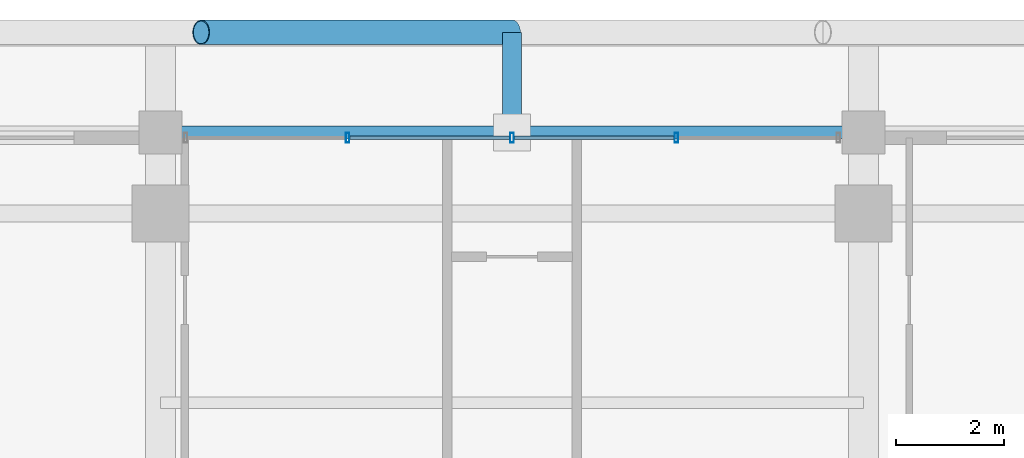
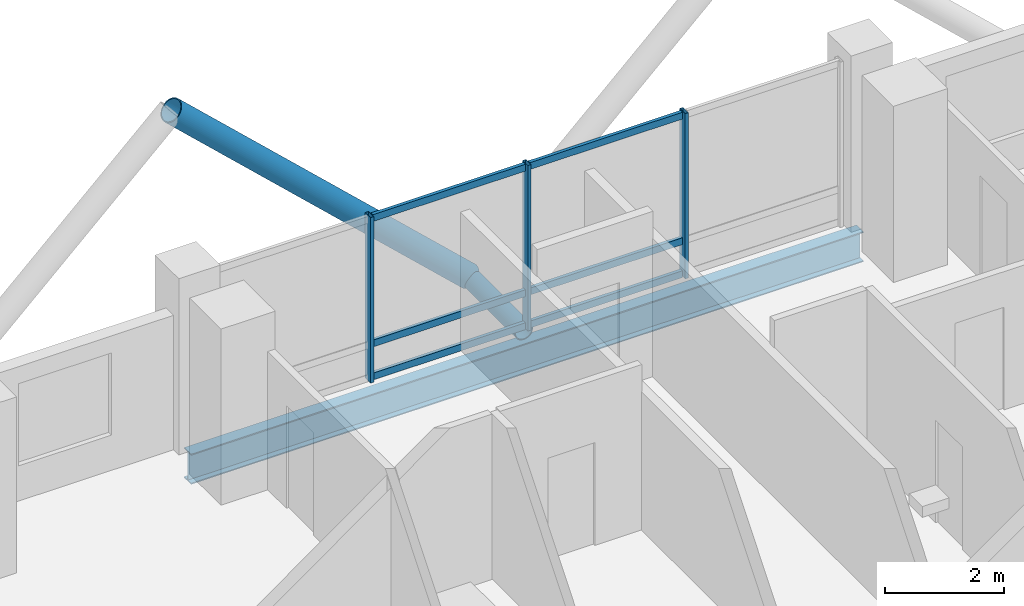
# One storey, part 12 of 23: 11 members, 1 beam, 1 element without a shape of its own.
"""IFC4 building model written with IfcOpenShell, lengths in metres."""

from ifc_helpers import new_model, si_unit, direction, frame, origin, origin_2d, place, context, subcontext, project, spatial, hollow_rectangle, hollow_circle, i_section, extrude, material, layer, layer_set, material_profile, profile_set, type_object, element, aggregate, save


model = new_model("IFC4")

# Units and contexts
model_context = context("Model", 3, precision=1e-05, world=origin(), true_north=direction((0.0, 1.0)))
body_context = subcontext(model_context, "Body", "Model", "MODEL_VIEW")
ifc_project = project(units=[si_unit("LENGTHUNIT", "METRE"), si_unit("AREAUNIT", "SQUARE_METRE"), si_unit("VOLUMEUNIT", "CUBIC_METRE"), si_unit("PLANEANGLEUNIT", "RADIAN"), si_unit("MASSUNIT", "GRAM", prefix="KILO")], contexts=[model_context])

# Site, building, storey
site_placement = place(None, origin())
site = spatial("IfcSite", under=ifc_project, at=site_placement, CompositionType="ELEMENT")
building_placement = place(site_placement, origin())
building = spatial("IfcBuilding", under=site, at=building_placement, Name="Barlavira Tower and Art Museum", CompositionType="ELEMENT")
storey_placement = place(building_placement, frame((0.0, 0.0, 165.60009765625)))
storey = spatial("IfcBuildingStorey", under=building, at=storey_placement, Name="L42", CompositionType="ELEMENT", Elevation=165.60009765625)

# Curtain wall, members
ifc_material_1 = material(Name="Low-iron coastal laminated glass", Category="glass")
ifc_layer = layer(ifc_material_1, 0.199951171875, Name="Low-iron coastal laminated glass")
ifc_layer_set = layer_set([ifc_layer], Name="Low-iron coastal laminated glass")
curtain_wall_type = type_object("IfcCurtainWallType", Name="Pale-Metal Unitised Curtain Wall Zone 3", PredefinedType="NOTDEFINED", material=ifc_layer_set)
curtain_wall_placement = place(storey_placement, origin())
curtain_wall = element("IfcCurtainWall", 1, at=curtain_wall_placement, inside=storey, type_object=curtain_wall_type, Name="L42 Curtain Wall CW3-L42-N-B3", PredefinedType="NOTDEFINED")
ifc_material_2 = material(Name="Pale anodised aluminium", Category="aluminium")
ifc_material_profile_1 = material_profile(ifc_material_2, hollow_rectangle(XDim=0.06494140625, YDim=0.179931640625, WallThickness=0.00390625, at=origin_2d()), Name="ALU-MULL 65x180x4")
ifc_profile_set_1 = profile_set([ifc_material_profile_1], Name="Pale anodised aluminium")
member_type_1 = type_object("IfcMemberType", Name="Curtain Wall Pale-Metal Mullion 65x180", PredefinedType="MULLION", material=ifc_profile_set_1)
member_1_placement = place(storey_placement, frame((3.0400390625, 21.39990234375, 0.0), z_axis=(0.0, 0.0, 1.0), x_axis=(-1.0, 0.0, 0.0)))
member_1 = element("IfcMember", 2, at=member_1_placement, type_object=member_type_1, Name="CW3-L42-N-B3 Mullion 1", PredefinedType="MULLION", context=body_context, shape_type="SweptSolid", body=[
    extrude(hollow_rectangle(XDim=0.06494140625, YDim=0.179931640625, WallThickness=0.00390625, at=origin_2d()), origin(), (0.0, 0.0, 1.0), 3.3798828125),
])
member_2_placement = place(storey_placement, frame((0.0, 21.39990234375, 0.0), z_axis=(0.0, 0.0, 1.0), x_axis=(-1.0, 0.0, 0.0)))
member_2 = element("IfcMember", 3, at=member_2_placement, type_object=member_type_1, Name="CW3-L42-N-B3 Mullion 2", PredefinedType="MULLION", context=body_context, shape_type="SweptSolid", body=[
    extrude(hollow_rectangle(XDim=0.06494140625, YDim=0.179931640625, WallThickness=0.00390625, at=origin_2d()), origin(), (0.0, 0.0, 1.0), 3.3798828125),
])
member_3_placement = place(storey_placement, frame((-3.0400390625, 21.39990234375, 0.0), z_axis=(0.0, 0.0, 1.0), x_axis=(-1.0, 0.0, 0.0)))
member_3 = element("IfcMember", 4, at=member_3_placement, type_object=member_type_1, Name="CW3-L42-N-B3 Mullion 3", PredefinedType="MULLION", context=body_context, shape_type="SweptSolid", body=[
    extrude(hollow_rectangle(XDim=0.06494140625, YDim=0.179931640625, WallThickness=0.00390625, at=origin_2d()), origin(), (0.0, 0.0, 1.0), 3.3798828125),
])
ifc_material_profile_2 = material_profile(ifc_material_2, hollow_rectangle(XDim=0.06494140625, YDim=0.139892578125, WallThickness=0.00390625, at=origin_2d()), Name="ALU-TRAN 65x140x4")
ifc_profile_set_2 = profile_set([ifc_material_profile_2], Name="Pale anodised aluminium")
member_type_2 = type_object("IfcMemberType", Name="Curtain Wall Pale-Metal Transom 65x140", PredefinedType="USERDEFINED", material=ifc_profile_set_2)
member_4_placement = place(storey_placement, frame((2.9951171875, 21.39990234375, 0.06982421875), z_axis=(-1.0, 0.0, 0.0), x_axis=(0.0, -1.0, 0.0)))
member_4 = element("IfcMember", 5, at=member_4_placement, type_object=member_type_2, Name="CW3-L42-N-B3 Transom 1.1", ObjectType="TRANSOM", PredefinedType="USERDEFINED", context=body_context, shape_type="SweptSolid", body=[
    extrude(hollow_rectangle(XDim=0.06494140625, YDim=0.139892578125, WallThickness=0.00390625, at=origin_2d()), origin(), (0.0, 0.0, 1.0), 2.9501953125),
])
member_5_placement = place(storey_placement, frame((2.9951171875, 21.39990234375, 0.743896484375), z_axis=(-1.0, 0.0, 0.0), x_axis=(0.0, -1.0, 0.0)))
member_5 = element("IfcMember", 6, at=member_5_placement, type_object=member_type_2, Name="CW3-L42-N-B3 Transom 1.2", ObjectType="TRANSOM", PredefinedType="USERDEFINED", context=body_context, shape_type="SweptSolid", body=[
    extrude(hollow_rectangle(XDim=0.06494140625, YDim=0.139892578125, WallThickness=0.00390625, at=origin_2d()), origin(), (0.0, 0.0, 1.0), 2.9501953125),
])
member_6_placement = place(storey_placement, frame((2.9951171875, 21.39990234375, 3.309814453125), z_axis=(-1.0, 0.0, 0.0), x_axis=(0.0, -1.0, 0.0)))
member_6 = element("IfcMember", 7, at=member_6_placement, type_object=member_type_2, Name="CW3-L42-N-B3 Transom 1.3", ObjectType="TRANSOM", PredefinedType="USERDEFINED", context=body_context, shape_type="SweptSolid", body=[
    extrude(hollow_rectangle(XDim=0.06494140625, YDim=0.139892578125, WallThickness=0.00390625, at=origin_2d()), origin(), (0.0, 0.0, 1.0), 2.9501953125),
])
member_7_placement = place(storey_placement, frame((-0.044921875, 21.39990234375, 0.06982421875), z_axis=(-1.0, 0.0, 0.0), x_axis=(0.0, -1.0, 0.0)))
member_7 = element("IfcMember", 8, at=member_7_placement, type_object=member_type_2, Name="CW3-L42-N-B3 Transom 2.1", ObjectType="TRANSOM", PredefinedType="USERDEFINED", context=body_context, shape_type="SweptSolid", body=[
    extrude(hollow_rectangle(XDim=0.06494140625, YDim=0.139892578125, WallThickness=0.00390625, at=origin_2d()), origin(), (0.0, 0.0, 1.0), 2.9501953125),
])
member_8_placement = place(storey_placement, frame((-0.044921875, 21.39990234375, 0.743896484375), z_axis=(-1.0, 0.0, 0.0), x_axis=(0.0, -1.0, 0.0)))
member_8 = element("IfcMember", 9, at=member_8_placement, type_object=member_type_2, Name="CW3-L42-N-B3 Transom 2.2", ObjectType="TRANSOM", PredefinedType="USERDEFINED", context=body_context, shape_type="SweptSolid", body=[
    extrude(hollow_rectangle(XDim=0.06494140625, YDim=0.139892578125, WallThickness=0.00390625, at=origin_2d()), origin(), (0.0, 0.0, 1.0), 2.9501953125),
])
member_9_placement = place(storey_placement, frame((-0.044921875, 21.39990234375, 3.309814453125), z_axis=(-1.0, 0.0, 0.0), x_axis=(0.0, -1.0, 0.0)))
member_9 = element("IfcMember", 10, at=member_9_placement, type_object=member_type_2, Name="CW3-L42-N-B3 Transom 2.3", ObjectType="TRANSOM", PredefinedType="USERDEFINED", context=body_context, shape_type="SweptSolid", body=[
    extrude(hollow_rectangle(XDim=0.06494140625, YDim=0.139892578125, WallThickness=0.00390625, at=origin_2d()), origin(), (0.0, 0.0, 1.0), 2.9501953125),
])
aggregate(curtain_wall, [member_1, member_2, member_3, member_4, member_5, member_6, member_7, member_8, member_9])

# Members
ifc_material_3 = material(Name="Steel S355", Category="steel")
ifc_material_profile_3 = material_profile(ifc_material_3, hollow_circle(Radius=0.228515625, WallThickness=0.02001953125, at=origin_2d()), Name="CHS 457.0x20.0")
ifc_profile_set_3 = profile_set([ifc_material_profile_3], Name="Steel S355")
member_type_3 = type_object("IfcMemberType", Name="Pale-Metal Exoskeleton Diagrid Tube CHS 457x20 Steel S355", PredefinedType="BRACE", material=ifc_profile_set_3)
member_10_placement = place(storey_placement, frame((0.0, 23.35009765625, -0.1201171875), z_axis=(-0.728950095515, 0.0, 0.684566839869), x_axis=(0.0, -1.0, 0.0)))
element("IfcMember", 11, at=member_10_placement, inside=storey, type_object=member_type_3, Name="L42 Exoskeleton Diagrid Tube N", PredefinedType="BRACE", context=body_context, shape_type="SweptSolid", body=[
    extrude(hollow_circle(Radius=0.228515625, WallThickness=0.02001953125, at=origin_2d()), origin(), (0.0, 0.0, 1.0), 7.887939453125),
])
ifc_material_profile_4 = material_profile(ifc_material_3, hollow_circle(Radius=0.177734375, WallThickness=0.01611328125, at=origin_2d()), Name="CHS 355.6x16.0")
ifc_profile_set_4 = profile_set([ifc_material_profile_4], Name="Steel S355")
member_type_4 = type_object("IfcMemberType", Name="Pale-Metal Exoskeleton Tie Strut CHS 356x16 Steel S355", PredefinedType="STRUT", material=ifc_profile_set_4)
member_11_placement = place(storey_placement, frame((0.0, 23.35009765625, -0.1201171875), z_axis=(0.0, -1.0, 0.0), x_axis=(1.0, 0.0, 0.0)))
element("IfcMember", 12, at=member_11_placement, inside=storey, type_object=member_type_4, Name="L42 Exoskeleton Tie Strut N2", PredefinedType="STRUT", context=body_context, shape_type="SweptSolid", body=[
    extrude(hollow_circle(Radius=0.177734375, WallThickness=0.01611328125, at=origin_2d()), origin(), (0.0, 0.0, 1.0), 1.85009765625),
])

# Beam
ifc_material_profile_5 = material_profile(ifc_material_3, i_section(OverallWidth=0.22998046875, OverallDepth=0.616943359375, WebThickness=0.01318359375, FlangeThickness=0.022216796875, at=origin_2d()), Name="W610x140.0")
ifc_profile_set_5 = profile_set([ifc_material_profile_5], Name="Steel S355")
beam_type = type_object("IfcBeamType", Name="Upper Shaft Spandrel Edge Beam W610x140 Steel S355", PredefinedType="SPANDREL", material=ifc_profile_set_5)
beam_placement = place(storey_placement, frame((-6.5, 21.5, -0.608642578125), z_axis=(1.0, 0.0, 0.0), x_axis=(0.0, 1.0, 0.0)))
element("IfcBeam", 13, at=beam_placement, inside=storey, type_object=beam_type, Name="L42 Spandrel 10", PredefinedType="SPANDREL", context=body_context, shape_type="SweptSolid", body=[
    extrude(i_section(OverallWidth=0.22998046875, OverallDepth=0.616943359375, WebThickness=0.01318359375, FlangeThickness=0.022216796875, at=origin_2d()), origin(), (0.0, 0.0, 1.0), 13.0),
])

save(model, "model.ifc")
